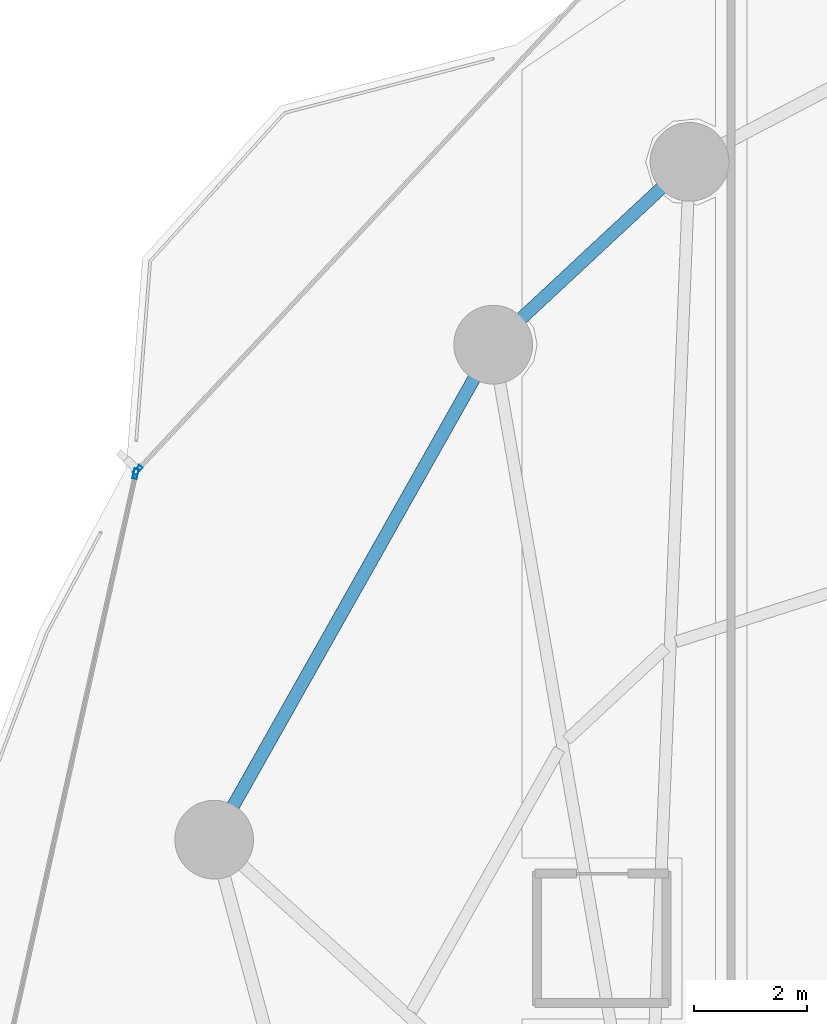
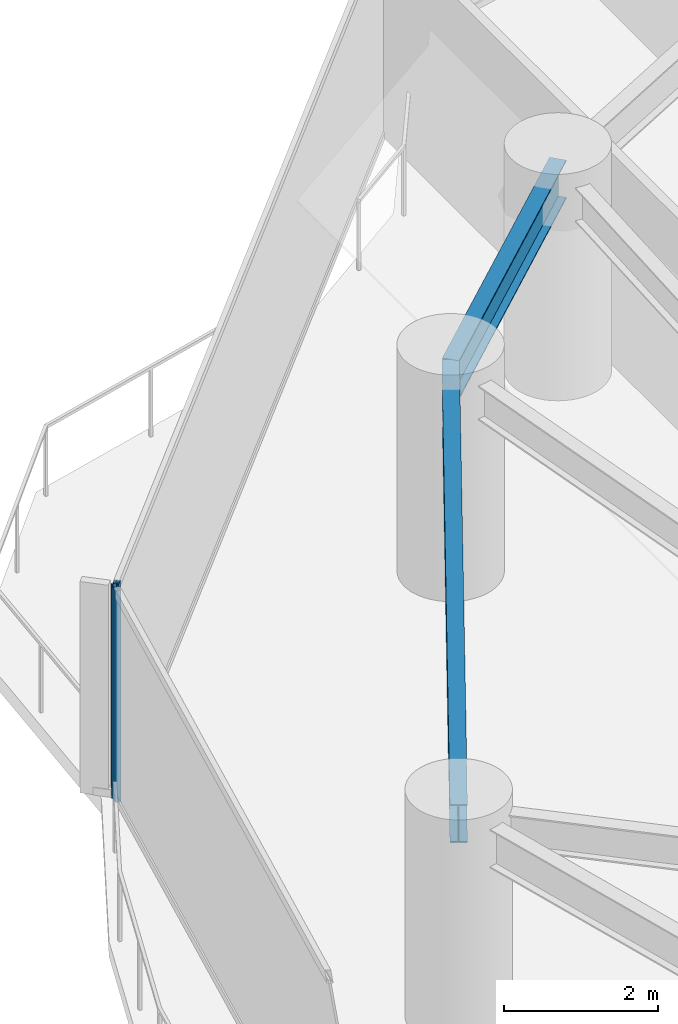
# One storey, part 15 of 33: 2 beams, 2 members, 2 elements without a shape of their own.
"""IFC4 building model written with IfcOpenShell, lengths in metres."""

from ifc_helpers import new_model, si_unit, direction, frame, origin, origin_2d, place, context, subcontext, project, spatial, hollow_rectangle, i_section, extrude, material, layer, layer_set, material_profile, profile_set, type_object, element, aggregate, save


model = new_model("IFC4")

# Units and contexts
model_context = context("Model", 3, precision=1e-05, world=origin(), true_north=direction((0.0, 1.0)))
body_context = subcontext(model_context, "Body", "Model", "MODEL_VIEW")
ifc_project = project(units=[si_unit("LENGTHUNIT", "METRE"), si_unit("AREAUNIT", "SQUARE_METRE"), si_unit("VOLUMEUNIT", "CUBIC_METRE"), si_unit("PLANEANGLEUNIT", "RADIAN"), si_unit("MASSUNIT", "GRAM", prefix="KILO")], contexts=[model_context])

# Site, building, storey
site_placement = place(None, origin())
site = spatial("IfcSite", under=ifc_project, at=site_placement, CompositionType="ELEMENT")
building_placement = place(site_placement, origin())
building = spatial("IfcBuilding", under=site, at=building_placement, Name="Kazevale Care Tower and Concert Hall", CompositionType="ELEMENT")
storey_placement = place(building_placement, frame((0.0, 0.0, 27.60009765625)))
storey = spatial("IfcBuildingStorey", under=building, at=storey_placement, Name="L06", CompositionType="ELEMENT", Elevation=27.60009765625)

# Curtain wall, member
ifc_material_1 = material(Name="Aluminium 6063-T6 and Low-E Glass", Category="aluminium")
ifc_layer_1 = layer(ifc_material_1, 0.179931640625)
ifc_layer_set_1 = layer_set([ifc_layer_1], Name="Aluminium 6063-T6 and Low-E Glass")
curtain_wall_type_1 = type_object("IfcCurtainWallType", Name="Convex Checkerboard Finned Curtain Wall CW-2", PredefinedType="NOTDEFINED", material=ifc_layer_set_1)
curtain_wall_1_placement = place(storey_placement, origin())
curtain_wall_1 = element("IfcCurtainWall", 1, at=curtain_wall_1_placement, inside=storey, type_object=curtain_wall_type_1, Name="cw:L06:f14", PredefinedType="NOTDEFINED")
ifc_material_2 = material(Name="Aluminium 6063-T6", Category="aluminium")
ifc_material_profile_1 = material_profile(ifc_material_2, hollow_rectangle(XDim=0.080078125, YDim=0.179931640625, WallThickness=0.0048828125, at=origin_2d()), Name="ALU80x180x5")
ifc_profile_set_1 = profile_set([ifc_material_profile_1], Name="Aluminium 6063-T6")
member_type_1 = type_object("IfcMemberType", Name="CW-2 Mullion ALU80x180x5", PredefinedType="MULLION", material=ifc_profile_set_1)
member_1_placement = place(storey_placement, frame((12.94921875, 49.9521484375, 0.0), z_axis=(0.0, 0.0, 1.0), x_axis=(-0.730363049987, 0.683059159381, 0.0)))
member_1 = element("IfcMember", 2, at=member_1_placement, type_object=member_type_1, Name="CW-2 mullion 1", PredefinedType="MULLION", context=body_context, shape_type="SweptSolid", body=[
    extrude(hollow_rectangle(XDim=0.080078125, YDim=0.179931640625, WallThickness=0.0048828125, at=origin_2d()), origin(), (0.0, 0.0, 1.0), 3.35986328125),
])
aggregate(curtain_wall_1, [member_1])

ifc_layer_2 = layer(ifc_material_1, 0.179931640625)
ifc_layer_set_2 = layer_set([ifc_layer_2], Name="Aluminium 6063-T6 and Low-E Glass")
curtain_wall_type_2 = type_object("IfcCurtainWallType", Name="Waist & Upper Residential Curtain Wall CW-4", PredefinedType="NOTDEFINED", material=ifc_layer_set_2)
curtain_wall_2_placement = place(storey_placement, origin())
curtain_wall_2 = element("IfcCurtainWall", 3, at=curtain_wall_2_placement, inside=storey, type_object=curtain_wall_type_2, Name="cw:L06:f13", PredefinedType="NOTDEFINED")
ifc_material_profile_2 = material_profile(ifc_material_2, hollow_rectangle(XDim=0.080078125, YDim=0.179931640625, WallThickness=0.0048828125, at=origin_2d()), Name="ALU80x180x5")
ifc_profile_set_2 = profile_set([ifc_material_profile_2], Name="Aluminium 6063-T6")
member_type_2 = type_object("IfcMemberType", Name="CW-4 Mullion ALU80x180x5", PredefinedType="MULLION", material=ifc_profile_set_2)
member_2_placement = place(storey_placement, frame((12.913330078125, 49.884033203125, 0.0), z_axis=(0.0, 0.0, 1.0), x_axis=(-0.976291328475, 0.216460716862, 0.0)))
member_2 = element("IfcMember", 4, at=member_2_placement, type_object=member_type_2, Name="CW-4 mullion 2", PredefinedType="MULLION", context=body_context, shape_type="SweptSolid", body=[
    extrude(hollow_rectangle(XDim=0.080078125, YDim=0.179931640625, WallThickness=0.0048828125, at=origin_2d()), origin(), (0.0, 0.0, 1.0), 3.35986328125),
])
aggregate(curtain_wall_2, [member_2])

# Beams
ifc_material_3 = material(Name="Steel ASTM A572 Gr 50", Category="steel")
ifc_material_profile_3 = material_profile(ifc_material_3, i_section(OverallWidth=0.22900390625, OverallDepth=0.612060546875, WebThickness=0.011962890625, FlangeThickness=0.01953125, at=origin_2d()), Name="W610x125")
ifc_profile_set_3 = profile_set([ifc_material_profile_3], Name="Steel ASTM A572 Gr 50")
beam_type = type_object("IfcBeamType", Name="Ring Spandrel Beam W610x125", PredefinedType="SPANDREL", material=ifc_profile_set_3)
beam_1_placement = place(storey_placement, frame((22.760009765625, 55.429931640625, 3.053955078125), z_axis=(-0.731820896228, -0.681497010884, 0.0), x_axis=(0.681497010884, -0.731820896228, 0.0)))
element("IfcBeam", 5, at=beam_1_placement, inside=storey, type_object=beam_type, Name="beam:L06:ring:07", PredefinedType="SPANDREL", context=body_context, shape_type="SweptSolid", body=[
    extrude(i_section(OverallWidth=0.22900390625, OverallDepth=0.612060546875, WebThickness=0.011962890625, FlangeThickness=0.01953125, at=origin_2d()), origin(), (0.0, 0.0, 1.0), 4.768798828125),
])
beam_2_placement = place(storey_placement, frame((19.27001953125, 52.179931640625, 3.053955078125), z_axis=(-0.491008061092, -0.87115502865, 0.0), x_axis=(0.87115502865, -0.491008061092, 0.0)))
element("IfcBeam", 6, at=beam_2_placement, inside=storey, type_object=beam_type, Name="beam:L06:ring:08", PredefinedType="SPANDREL", context=body_context, shape_type="SweptSolid", body=[
    extrude(i_section(OverallWidth=0.22900390625, OverallDepth=0.612060546875, WebThickness=0.011962890625, FlangeThickness=0.01953125, at=origin_2d()), origin(), (0.0, 0.0, 1.0), 10.1015625),
])

save(model, "model.ifc")
